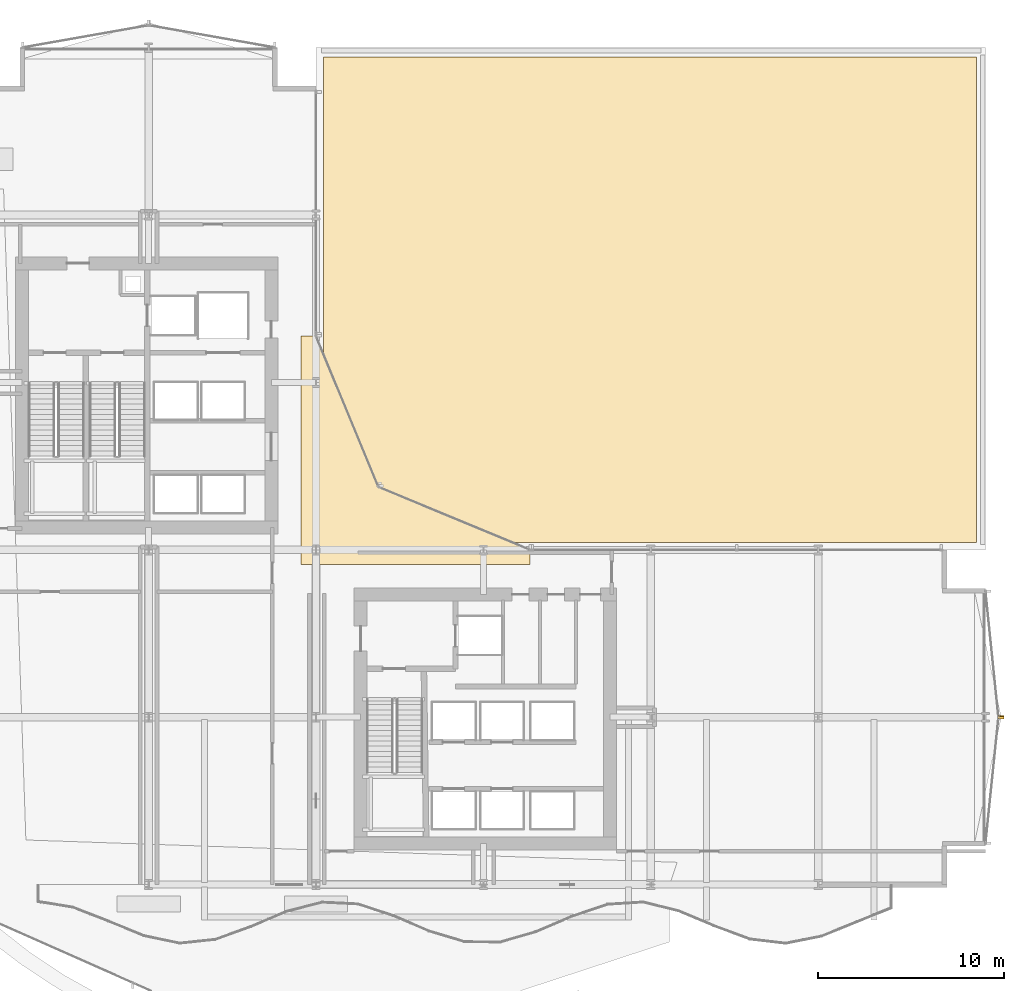
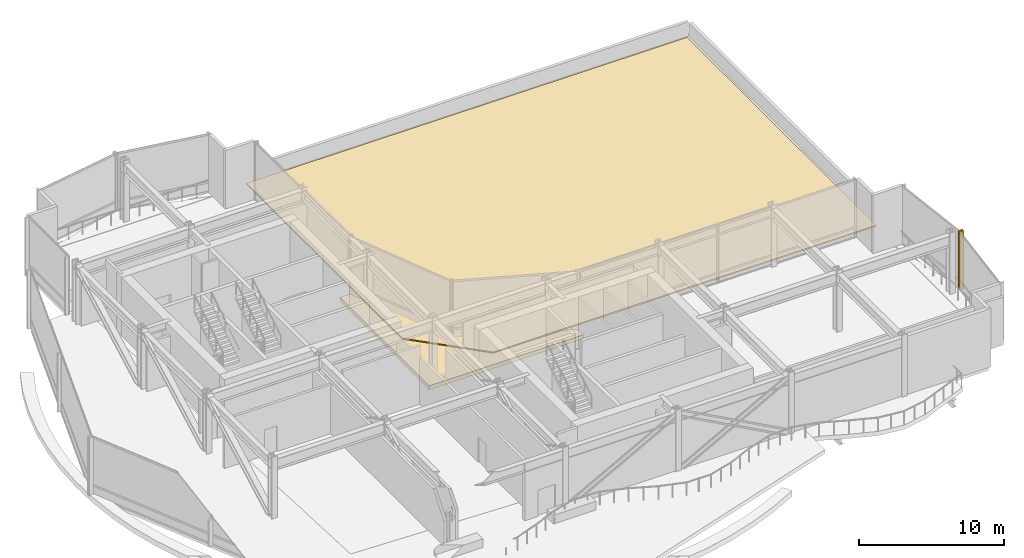
# One storey, part 36 of 37: 2 coverings, 2 shading devices.
"""IFC4 building model written with IfcOpenShell, lengths in metres."""

import ifcopenshell
import ifcopenshell.guid

model = None  # the IFC model being written
_history = None  # IfcOwnerHistory: only IFC2X3 demands one
_inside = {}  # id of a spatial element -> (the spatial element, [elements in it])
_under = {}  # id of a project, library or spatial element -> (it, [spatial elements below it])
_declared = {}  # id of a project -> (the project, [libraries it declares])
_typed = {}  # id of a type object -> (the type object, [elements of that type])
_made_of = {}  # id of a material, layer set ... -> (it, [elements and type objects made of it])


def new_model(schema):
    """Start an empty IFC model of exactly this schema.

    Asked for "IFC4X3", IfcOpenShell would pick the latest addendum, in which some entities
    have other attributes; the version numbers below select the first issue.
    IFC2X3 requires an IfcOwnerHistory on every rooted entity: one is made here for all.
    """
    global model, _history
    if schema == "IFC4X3":
        model = ifcopenshell.file(schema_version=(4, 3, 0, 0))
    else:
        model = ifcopenshell.file(schema=schema)
    _inside.clear()
    _under.clear()
    _declared.clear()
    _typed.clear()
    _made_of.clear()
    _history = None
    if model.schema == "IFC2X3":
        org = make("IfcOrganization", Name="unknown")
        user = make(
            "IfcPersonAndOrganization",
            ThePerson=make("IfcPerson", FamilyName="unknown"),
            TheOrganization=org,
        )
        app = make(
            "IfcApplication",
            ApplicationDeveloper=org,
            Version="unknown",
            ApplicationFullName="unknown",
            ApplicationIdentifier="unknown",
        )
        _history = make(
            "IfcOwnerHistory",
            OwningUser=user,
            OwningApplication=app,
            ChangeAction="ADDED",
            CreationDate=0,
        )
    return model


def make(cls, **values):
    """One entity of the class cls with the attributes given. An attribute that is None is left unset."""
    return model.create_entity(
        cls, **{name: value for name, value in values.items() if value is not None}
    )


def rooted(cls, **values):
    """An entity with a GlobalId (a new one), such as an element, a storey or a relation."""
    return make(cls, GlobalId=ifcopenshell.guid.new(), OwnerHistory=_history, **values)


def si_unit(unit_type, name, prefix=None):
    """IfcSIUnit, for example si_unit("LENGTHUNIT", "METRE", prefix="MILLI")."""
    return make("IfcSIUnit", UnitType=unit_type, Prefix=prefix, Name=name)


def assignment(units):
    """IfcUnitAssignment: the units of a project."""
    return None if units is None else make("IfcUnitAssignment", Units=units)


def point(xyz):
    """IfcCartesianPoint."""
    return None if xyz is None else make("IfcCartesianPoint", Coordinates=xyz)


def direction(xyz):
    """IfcDirection."""
    return None if xyz is None else make("IfcDirection", DirectionRatios=xyz)


def frame(location, z_axis=None, x_axis=None):
    """IfcAxis2Placement3D, a coordinate frame: its origin and axes. An axis left out is left unset."""
    return make(
        "IfcAxis2Placement3D",
        Location=point(location),
        Axis=direction(z_axis),
        RefDirection=direction(x_axis),
    )


def frame_2d(location, x_axis=None):
    """IfcAxis2Placement2D, a coordinate frame in the plane: its origin and x axis."""
    return make(
        "IfcAxis2Placement2D", Location=point(location), RefDirection=direction(x_axis)
    )


def origin():
    """The frame at (0, 0, 0) with its axes left unset."""
    return frame((0.0, 0.0, 0.0))


def origin_2d():
    """The frame at (0, 0) in the plane with its x axis left unset."""
    return frame_2d((0.0, 0.0))


def place(relative_to, where):
    """IfcLocalPlacement: puts the frame where relative to a parent placement (None: the world)."""
    return make(
        "IfcLocalPlacement", PlacementRelTo=relative_to, RelativePlacement=where
    )


def context(
    kind, dimensions, precision=None, world=None, true_north=None, identifier=None
):
    """IfcGeometricRepresentationContext, for example the 3D "Model" context."""
    return make(
        "IfcGeometricRepresentationContext",
        ContextIdentifier=identifier,
        ContextType=kind,
        CoordinateSpaceDimension=dimensions,
        Precision=precision,
        WorldCoordinateSystem=world,
        TrueNorth=true_north,
    )


def subcontext(parent, identifier, kind, view, scale=None):
    """IfcGeometricRepresentationSubContext, for example "Body" below "Model"."""
    return make(
        "IfcGeometricRepresentationSubContext",
        ContextIdentifier=identifier,
        ContextType=kind,
        ParentContext=parent,
        TargetScale=scale,
        TargetView=view,
    )


def project(units=None, contexts=None):
    """IfcProject with its units and contexts."""
    return rooted(
        "IfcProject",
        Name="project",
        RepresentationContexts=contexts,
        UnitsInContext=assignment(units),
    )


def spatial(cls, under=None, at=None, **own):
    """A site, building, storey or space (cls), placed at a placement, below another one or the project."""
    s = rooted(cls, ObjectPlacement=at, **own)
    if under is not None:
        _under.setdefault(under.id(), (under, []))[1].append(s)
    return s


def polyline(points):
    """IfcPolyline through the points."""
    return make("IfcPolyline", Points=[point(p) for p in points])


def profile(cls, at=None, kind="AREA", **sizes):
    """A parametric profile (cls). Its sizes go by their IFC names, for example OverallWidth=200.0."""
    return make(cls, ProfileType=kind, Position=at, **sizes)


def rectangle(**sizes):
    """IfcRectangleProfileDef."""
    return profile("IfcRectangleProfileDef", **sizes)


def outline(outer, holes=None, kind="AREA"):
    """IfcArbitraryClosedProfileDef: a profile drawn as a closed curve; with holes, ...WithVoids."""
    if holes is None:
        return make("IfcArbitraryClosedProfileDef", ProfileType=kind, OuterCurve=outer)
    return make(
        "IfcArbitraryProfileDefWithVoids",
        ProfileType=kind,
        OuterCurve=outer,
        InnerCurves=holes,
    )


def extrude(swept, where, along, depth):
    """IfcExtrudedAreaSolid: the profile swept, set in the frame where, extruded along a direction by depth."""
    return make(
        "IfcExtrudedAreaSolid",
        SweptArea=swept,
        Position=where,
        ExtrudedDirection=direction(along),
        Depth=depth,
    )


def shape(context_of_items, identifier, shape_type, items):
    """IfcShapeRepresentation: the items that make up one representation, for example the "Body"."""
    return make(
        "IfcShapeRepresentation",
        ContextOfItems=context_of_items,
        RepresentationIdentifier=identifier,
        RepresentationType=shape_type,
        Items=items,
    )


def material(Name=None, Category=None):
    """IfcMaterial."""
    return make("IfcMaterial", Name=Name, Category=Category)


def layer(
    of_material, thickness, ventilated=None, Name=None, Category=None, Priority=None
):
    """IfcMaterialLayer: one layer of a wall or slab, of a material (None: an air gap)."""
    return make(
        "IfcMaterialLayer",
        Material=of_material,
        LayerThickness=thickness,
        IsVentilated=ventilated,
        Name=Name,
        Category=Category,
        Priority=Priority,
    )


def layer_set(layers, Name=None):
    """IfcMaterialLayerSet."""
    return make("IfcMaterialLayerSet", MaterialLayers=layers, LayerSetName=Name)


def made_of(thing, what):
    """Note that an element or type object is made of a material, layer set ...; save() writes the relation."""
    if what is not None:
        _made_of.setdefault(what.id(), (what, []))[1].append(thing)
    return thing


def type_object(cls, material=None, **own):
    """A type object (cls), such as IfcWallType, which elements share."""
    return made_of(rooted(cls, **own), material)


def element(
    cls,
    number,
    at=None,
    inside=None,
    cuts=None,
    type_object=None,
    material=None,
    context=None,
    identifier="Body",
    shape_type=None,
    held_by="IfcProductDefinitionShape",
    body=None,
    shapes=None,
    **own,
):
    """One element of the class cls, such as IfcWall. Its Tag is "e" and its number.

    at: its placement. inside: the storey or other place that contains it. cuts: it is an
    opening in that element (IfcRelVoidsElement). A single representation is given by context,
    identifier, shape_type and body (its items); several are given by shapes. held_by: the class
    of the entity that holds the representations. save() writes the other relations.
    """
    e = rooted(cls, Tag="e%d" % number, ObjectPlacement=at, **own)
    if body is not None:
        shapes = [shape(context, identifier, shape_type, body)]
    if shapes is not None:
        e.Representation = make(held_by, Representations=shapes)
    if inside is not None:
        _inside.setdefault(inside.id(), (inside, []))[1].append(e)
    if cuts is not None:
        rooted(
            "IfcRelVoidsElement", RelatingBuildingElement=cuts, RelatedOpeningElement=e
        )
    if type_object is not None:
        _typed.setdefault(type_object.id(), (type_object, []))[1].append(e)
    return made_of(e, material)


def aggregate(whole, parts):
    """IfcRelAggregates: a whole, such as a stair, and the parts it consists of."""
    return rooted("IfcRelAggregates", RelatingObject=whole, RelatedObjects=parts)


def save(model, path):
    """Write the relations noted so far, then the file.

    IfcRelAggregates (storeys below a building ...), IfcRelContainedInSpatialStructure (elements
    in a storey), IfcRelDefinesByType, IfcRelAssociatesMaterial and IfcRelDeclares: one each for
    every whole, place, type object, material and project.
    """
    for whole, parts in _under.values():
        aggregate(whole, parts)
    for where, things in _inside.values():
        rooted(
            "IfcRelContainedInSpatialStructure",
            RelatedElements=things,
            RelatingStructure=where,
        )
    for kind, things in _typed.values():
        rooted("IfcRelDefinesByType", RelatedObjects=things, RelatingType=kind)
    for what, things in _made_of.values():
        rooted("IfcRelAssociatesMaterial", RelatedObjects=things, RelatingMaterial=what)
    for by, libraries in _declared.values():
        rooted("IfcRelDeclares", RelatingContext=by, RelatedDefinitions=libraries)
    model.write(path)


model = new_model("IFC4")

# Units and contexts
model_context = context("Model", 3, precision=1e-05, world=origin(), true_north=direction((0.0, 1.0)))
body_context = subcontext(model_context, "Body", "Model", "MODEL_VIEW")
ifc_project = project(units=[si_unit("LENGTHUNIT", "METRE"), si_unit("AREAUNIT", "SQUARE_METRE"), si_unit("VOLUMEUNIT", "CUBIC_METRE"), si_unit("PLANEANGLEUNIT", "RADIAN"), si_unit("MASSUNIT", "GRAM", prefix="KILO")], contexts=[model_context])

# Site, building, storey
site_placement = place(None, origin())
site = spatial("IfcSite", under=ifc_project, at=site_placement, CompositionType="ELEMENT")
building_placement = place(site_placement, origin())
building = spatial("IfcBuilding", under=site, at=building_placement, Name="Solvaryn Broadcast Tower", CompositionType="ELEMENT")
storey_placement = place(building_placement, frame((0.0, 0.0, 30.800048828125)))
storey = spatial("IfcBuildingStorey", under=building, at=storey_placement, Name="L06", CompositionType="ELEMENT", Elevation=30.800048828125)

# Coverings
ifc_material_1 = material(Name="Insulated Protected Membrane Roofing", Category="concrete")
ifc_layer_1 = layer(ifc_material_1, 0.1201171875)
ifc_layer_set_1 = layer_set([ifc_layer_1], Name="CV-ROOF-MEMB")
covering_type_1 = type_object("IfcCoveringType", Name="CV-ROOF-MEMB", PredefinedType="ROOFING", material=ifc_layer_set_1)
covering_1_placement = place(storey_placement, origin())
element("IfcCovering", 1, at=covering_1_placement, inside=storey, type_object=covering_type_1, Name="L06 Podium Courtyard Roof Membrane", PredefinedType="ROOFING", context=body_context, shape_type="SweptSolid", body=[
    extrude(outline(polyline([(32.0, 27.39990234375), (62.5, 27.39990234375), (62.5, 53.5), (27.39990234375, 53.5), (27.39990234375, 32.0), (32.0, 27.39990234375)])), origin(), (0.0, 0.0, 1.0), 0.119873046875),
])
ifc_material_2 = material(Name="Sculpted Architectural Terracotta Wave Fascia", Category="masonry")
ifc_layer_2 = layer(ifc_material_2, 0.340087890625)
ifc_layer_set_2 = layer_set([ifc_layer_2], Name="CV-WAVE-TRAY")
covering_type_2 = type_object("IfcCoveringType", Name="CV-WAVE-TRAY", PredefinedType="CLADDING", material=ifc_layer_set_2)
covering_2_placement = place(storey_placement, frame((0.0, 0.0, -0.300048828125)))
element("IfcCovering", 2, at=covering_2_placement, inside=storey, type_object=covering_type_2, Name="L06 Concave Canyon Floor Apron", PredefinedType="CLADDING", context=body_context, shape_type="SweptSolid", body=[
    extrude(outline(polyline([(26.199951171875, 26.199951171875), (38.5, 26.199951171875), (38.5, 27.0), (30.367919921875, 30.367919921875), (27.0, 38.5), (26.199951171875, 38.5), (26.199951171875, 26.199951171875)])), origin(), (0.0, 0.0, 1.0), 0.330078125),
])

# Shading devices
ifc_material_3 = material(Name="Anodised Aluminium Acoustic Louvre", Category="aluminium")
shading_device_type = type_object("IfcShadingDeviceType", Name="LV-01 Plant Intake Louvre", PredefinedType="USERDEFINED", material=ifc_material_3)
for number, where, z_axis, x_axis, name in (
    (3, (63.822021484375, 18.02978515625, 0.0), (0.0, 0.0, 1.0), (1.0, 0.0, 0.0), "L06 Plant Acoustic Louvre LV-CW-L06-ET1/M01"),
    (4, (63.822021484375, 17.97021484375, 0.0), (0.0, 0.0, 1.0), (1.0, 0.0, 0.0), "L06 Plant Acoustic Louvre LV-CW-L06-ET2/M00"),
):
    element("IfcShadingDevice", number, at=place(storey_placement, frame(where, z_axis=z_axis, x_axis=x_axis)), inside=storey, type_object=shading_device_type, Name=name, ObjectType="LOUVRE", PredefinedType="USERDEFINED", context=body_context, shape_type="SweptSolid", body=[
        extrude(rectangle(XDim=0.340087890625, YDim=0.139892578125, at=origin_2d()), origin(), (0.0, 0.0, 1.0), 4.919921875),
    ])

save(model, "model.ifc")
